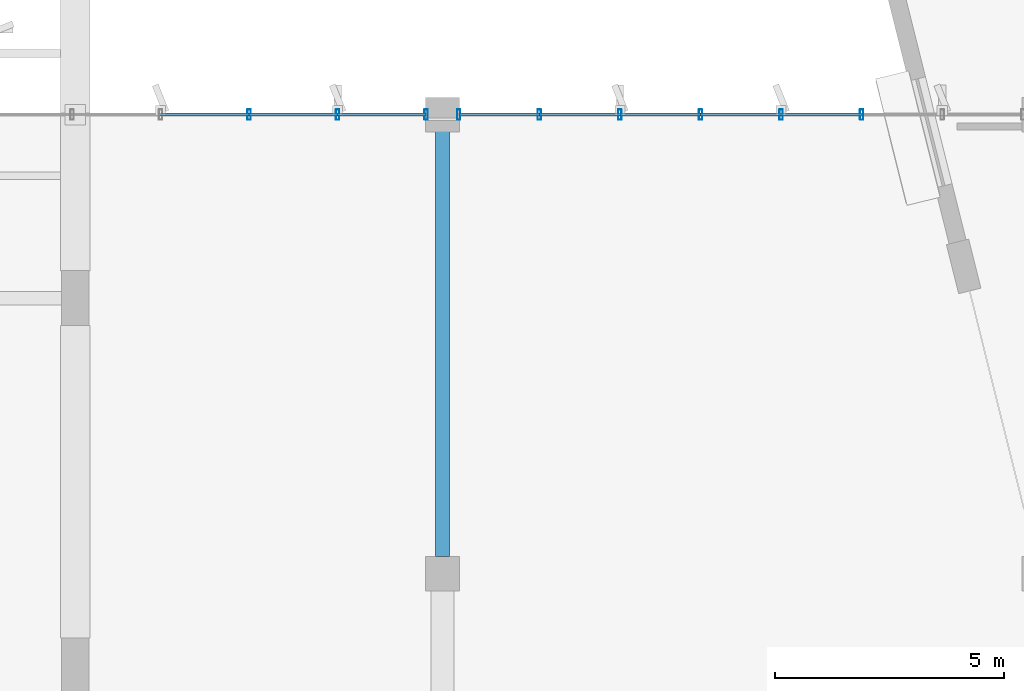
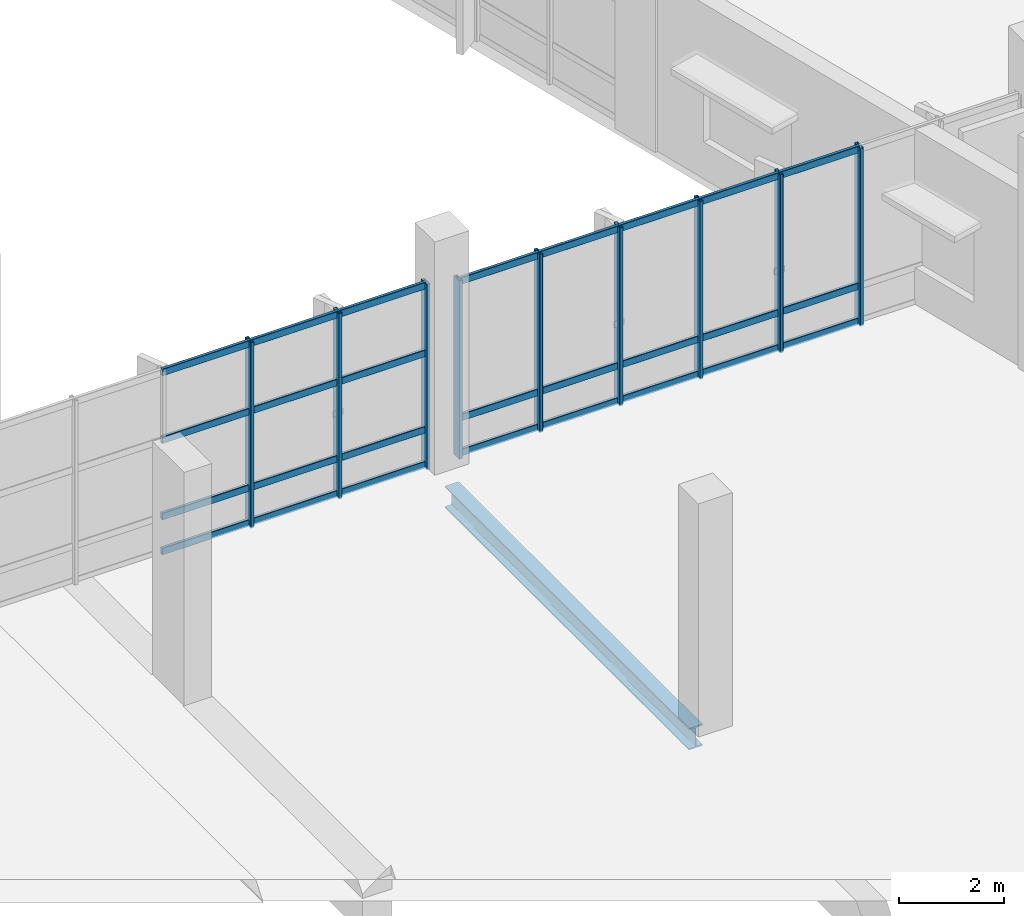
# One storey, part 71 of 176: 36 members, 1 beam, 2 elements without a shape of their own.
"""IFC4 building model written with IfcOpenShell, lengths in metres."""

from ifc_helpers import new_model, si_unit, direction, frame, origin, origin_2d, place, context, subcontext, project, spatial, hollow_rectangle, i_section, extrude, material, layer, layer_set, material_profile, profile_set, type_object, element, aggregate, save


model = new_model("IFC4")

# Units and contexts
model_context = context("Model", 3, precision=1e-05, world=origin(), true_north=direction((0.0, 1.0)))
body_context = subcontext(model_context, "Body", "Model", "MODEL_VIEW")
ifc_project = project(units=[si_unit("LENGTHUNIT", "METRE"), si_unit("AREAUNIT", "SQUARE_METRE"), si_unit("VOLUMEUNIT", "CUBIC_METRE"), si_unit("PLANEANGLEUNIT", "RADIAN"), si_unit("MASSUNIT", "GRAM", prefix="KILO")], contexts=[model_context])

# Site, building, storey
site_placement = place(None, origin())
site = spatial("IfcSite", under=ifc_project, at=site_placement, CompositionType="ELEMENT")
building_placement = place(site_placement, origin())
building = spatial("IfcBuilding", under=site, at=building_placement, Name="Khorjan Park Terminus", CompositionType="ELEMENT")
storey_placement = place(building_placement, frame((0.0, 0.0, 6.0)))
storey = spatial("IfcBuildingStorey", under=building, at=storey_placement, Name="L01", CompositionType="ELEMENT", Elevation=6.0)

# Beam
ifc_material_1 = material(Name="Steel S355", Category="steel")
ifc_material_profile_1 = material_profile(ifc_material_1, i_section(OverallWidth=0.3, OverallDepth=0.5, WebThickness=0.0145, FlangeThickness=0.028, FilletRadius=0.027, at=origin_2d()), Name="HEB 500")
ifc_profile_set_1 = profile_set([ifc_material_profile_1], Name="Steel S355")
beam_type = type_object("IfcBeamType", Name="BM-HEB500", PredefinedType="BEAM", material=ifc_profile_set_1)
beam_placement = place(storey_placement, frame((144.0, 38.37, -0.58), z_axis=(0.0, 1.0, 0.0), x_axis=(-1.0, 0.0, 0.0)))
element("IfcBeam", 1, at=beam_placement, inside=storey, type_object=beam_type, Name="Primary floor girder SB-B50 (L01)", PredefinedType="BEAM", context=body_context, shape_type="SweptSolid", body=[
    extrude(i_section(OverallWidth=0.3, OverallDepth=0.5, WebThickness=0.0145, FlangeThickness=0.028, FilletRadius=0.027, at=origin_2d()), origin(), (0.0, 0.0, 1.0), 9.26),
])

# Curtain wall, members
ifc_material_2 = material(Name="Anodized Bronze Aluminium", Category="aluminium")
ifc_layer = layer(ifc_material_2, 0.22)
ifc_layer_set = layer_set([ifc_layer], Name="Anodized Bronze Aluminium")
curtain_wall_type = type_object("IfcCurtainWallType", Name="CW-OPS-B", PredefinedType="NOTDEFINED", material=ifc_layer_set)
curtain_wall_1_placement = place(storey_placement, origin())
curtain_wall_1 = element("IfcCurtainWall", 2, at=curtain_wall_1_placement, inside=storey, type_object=curtain_wall_type, Name="Unitized curtain wall CW-B (CW-V5L-N-L01-1)", PredefinedType="NOTDEFINED")
ifc_material_profile_2 = material_profile(ifc_material_2, hollow_rectangle(XDim=0.075, YDim=0.225, WallThickness=0.005, InnerFilletRadius=0.005, OuterFilletRadius=0.01, at=origin_2d()), Name="ALM 75x225x5")
ifc_profile_set_2 = profile_set([ifc_material_profile_2], Name="Anodized Bronze Aluminium")
member_type_1 = type_object("IfcMemberType", Name="ML-ALM-225", PredefinedType="MULLION", material=ifc_profile_set_2)
member_1_placement = place(storey_placement, frame((143.645, 48.0, -0.035), z_axis=(0.0, 0.0, 1.0), x_axis=(-1.0, 0.0, 0.0)))
member_1 = element("IfcMember", 3, at=member_1_placement, type_object=member_type_1, Name="Curtain-wall mullion ML-22 (CW-V5L-N-L01-1-0)", PredefinedType="MULLION", context=body_context, shape_type="SweptSolid", body=[
    extrude(hollow_rectangle(XDim=0.075, YDim=0.225, WallThickness=0.005, InnerFilletRadius=0.005, OuterFilletRadius=0.01, at=origin_2d()), origin(), (0.0, 0.0, 1.0), 4.295),
])
member_2_placement = place(storey_placement, frame((141.716, 48.0, -0.035), z_axis=(0.0, 0.0, 1.0), x_axis=(-1.0, 0.0, 0.0)))
member_2 = element("IfcMember", 4, at=member_2_placement, type_object=member_type_1, Name="Curtain-wall mullion ML-22 (CW-V5L-N-L01-1-1)", PredefinedType="MULLION", context=body_context, shape_type="SweptSolid", body=[
    extrude(hollow_rectangle(XDim=0.075, YDim=0.225, WallThickness=0.005, InnerFilletRadius=0.005, OuterFilletRadius=0.01, at=origin_2d()), origin(), (0.0, 0.0, 1.0), 4.295),
])
member_3_placement = place(storey_placement, frame((139.787, 48.0, -0.035), z_axis=(0.0, 0.0, 1.0), x_axis=(-1.0, 0.0, 0.0)))
member_3 = element("IfcMember", 5, at=member_3_placement, type_object=member_type_1, Name="Curtain-wall mullion ML-22 (CW-V5L-N-L01-1-2)", PredefinedType="MULLION", context=body_context, shape_type="SweptSolid", body=[
    extrude(hollow_rectangle(XDim=0.075, YDim=0.225, WallThickness=0.005, InnerFilletRadius=0.005, OuterFilletRadius=0.01, at=origin_2d()), origin(), (0.0, 0.0, 1.0), 4.295),
])

curtain_wall_2_placement = place(storey_placement, origin())
curtain_wall_2 = element("IfcCurtainWall", 6, at=curtain_wall_2_placement, inside=storey, type_object=curtain_wall_type, Name="Unitized curtain wall CW-B (CW-V5L-N-L01-2)", PredefinedType="NOTDEFINED")
member_4_placement = place(storey_placement, frame((153.1336, 48.0, -0.035), z_axis=(0.0, 0.0, 1.0), x_axis=(-1.0, 0.0, 0.0)))
member_4 = element("IfcMember", 7, at=member_4_placement, type_object=member_type_1, Name="Curtain-wall mullion ML-22 (CW-V5L-N-L01-2-2)", PredefinedType="MULLION", context=body_context, shape_type="SweptSolid", body=[
    extrude(hollow_rectangle(XDim=0.075, YDim=0.225, WallThickness=0.005, InnerFilletRadius=0.005, OuterFilletRadius=0.01, at=origin_2d()), origin(), (0.0, 0.0, 1.0), 4.125),
])
member_5_placement = place(storey_placement, frame((151.3779, 48.0, -0.035), z_axis=(0.0, 0.0, 1.0), x_axis=(-1.0, 0.0, 0.0)))
member_5 = element("IfcMember", 8, at=member_5_placement, type_object=member_type_1, Name="Curtain-wall mullion ML-22 (CW-V5L-N-L01-2-3)", PredefinedType="MULLION", context=body_context, shape_type="SweptSolid", body=[
    extrude(hollow_rectangle(XDim=0.075, YDim=0.225, WallThickness=0.005, InnerFilletRadius=0.005, OuterFilletRadius=0.01, at=origin_2d()), origin(), (0.0, 0.0, 1.0), 4.125),
])
member_6_placement = place(storey_placement, frame((149.6221, 48.0, -0.035), z_axis=(0.0, 0.0, 1.0), x_axis=(-1.0, 0.0, 0.0)))
member_6 = element("IfcMember", 9, at=member_6_placement, type_object=member_type_1, Name="Curtain-wall mullion ML-22 (CW-V5L-N-L01-2-4)", PredefinedType="MULLION", context=body_context, shape_type="SweptSolid", body=[
    extrude(hollow_rectangle(XDim=0.075, YDim=0.225, WallThickness=0.005, InnerFilletRadius=0.005, OuterFilletRadius=0.01, at=origin_2d()), origin(), (0.0, 0.0, 1.0), 4.125),
])
member_7_placement = place(storey_placement, frame((147.8664, 48.0, -0.035), z_axis=(0.0, 0.0, 1.0), x_axis=(-1.0, 0.0, 0.0)))
member_7 = element("IfcMember", 10, at=member_7_placement, type_object=member_type_1, Name="Curtain-wall mullion ML-22 (CW-V5L-N-L01-2-5)", PredefinedType="MULLION", context=body_context, shape_type="SweptSolid", body=[
    extrude(hollow_rectangle(XDim=0.075, YDim=0.225, WallThickness=0.005, InnerFilletRadius=0.005, OuterFilletRadius=0.01, at=origin_2d()), origin(), (0.0, 0.0, 1.0), 4.125),
])
member_8_placement = place(storey_placement, frame((146.1107, 48.0, -0.035), z_axis=(0.0, 0.0, 1.0), x_axis=(-1.0, 0.0, 0.0)))
member_8 = element("IfcMember", 11, at=member_8_placement, type_object=member_type_1, Name="Curtain-wall mullion ML-22 (CW-V5L-N-L01-2-6)", PredefinedType="MULLION", context=body_context, shape_type="SweptSolid", body=[
    extrude(hollow_rectangle(XDim=0.075, YDim=0.225, WallThickness=0.005, InnerFilletRadius=0.005, OuterFilletRadius=0.01, at=origin_2d()), origin(), (0.0, 0.0, 1.0), 4.125),
])
member_9_placement = place(storey_placement, frame((144.355, 48.0, -0.035), z_axis=(0.0, 0.0, 1.0), x_axis=(-1.0, 0.0, 0.0)))
member_9 = element("IfcMember", 12, at=member_9_placement, type_object=member_type_1, Name="Curtain-wall mullion ML-22 (CW-V5L-N-L01-2-7)", PredefinedType="MULLION", context=body_context, shape_type="SweptSolid", body=[
    extrude(hollow_rectangle(XDim=0.075, YDim=0.225, WallThickness=0.005, InnerFilletRadius=0.005, OuterFilletRadius=0.01, at=origin_2d()), origin(), (0.0, 0.0, 1.0), 4.125),
])

# Member
ifc_material_profile_3 = material_profile(ifc_material_2, hollow_rectangle(XDim=0.07, YDim=0.16, WallThickness=0.004, InnerFilletRadius=0.004, OuterFilletRadius=0.008, at=origin_2d()), Name="ALT 70x160x4")
ifc_profile_set_3 = profile_set([ifc_material_profile_3], Name="Anodized Bronze Aluminium")
member_type_2 = type_object("IfcMemberType", Name="TR-ALT-160", PredefinedType="USERDEFINED", material=ifc_profile_set_3)
member_10_placement = place(storey_placement, frame((143.645, 48.0, 0.04), z_axis=(-1.0, 0.0, 0.0), x_axis=(0.0, -1.0, 0.0)))
member_10 = element("IfcMember", 13, at=member_10_placement, type_object=member_type_2, Name="Curtain-wall transom TR-16 (CW-V5L-N-L01-1-0-1)", ObjectType="TRANSOM", PredefinedType="USERDEFINED", context=body_context, shape_type="SweptSolid", body=[
    extrude(hollow_rectangle(XDim=0.07, YDim=0.16, WallThickness=0.004, InnerFilletRadius=0.004, OuterFilletRadius=0.008, at=origin_2d()), origin(), (0.0, 0.0, 1.0), 1.929),
])

member_11_placement = place(storey_placement, frame((143.645, 48.0, 0.85), z_axis=(-1.0, 0.0, 0.0), x_axis=(0.0, -1.0, 0.0)))
member_11 = element("IfcMember", 14, at=member_11_placement, type_object=member_type_2, Name="Curtain-wall transom TR-16 (CW-V5L-N-L01-1-0-2)", ObjectType="TRANSOM", PredefinedType="USERDEFINED", context=body_context, shape_type="SweptSolid", body=[
    extrude(hollow_rectangle(XDim=0.07, YDim=0.16, WallThickness=0.004, InnerFilletRadius=0.004, OuterFilletRadius=0.008, at=origin_2d()), origin(), (0.0, 0.0, 1.0), 1.929),
])

member_12_placement = place(storey_placement, frame((143.645, 48.0, 2.6195), z_axis=(-1.0, 0.0, 0.0), x_axis=(0.0, -1.0, 0.0)))
member_12 = element("IfcMember", 15, at=member_12_placement, type_object=member_type_2, Name="Curtain-wall transom TR-16 (CW-V5L-N-L01-1-0-3)", ObjectType="TRANSOM", PredefinedType="USERDEFINED", context=body_context, shape_type="SweptSolid", body=[
    extrude(hollow_rectangle(XDim=0.07, YDim=0.16, WallThickness=0.004, InnerFilletRadius=0.004, OuterFilletRadius=0.008, at=origin_2d()), origin(), (0.0, 0.0, 1.0), 1.929),
])

member_13_placement = place(storey_placement, frame((143.645, 48.0, 4.185), z_axis=(-1.0, 0.0, 0.0), x_axis=(0.0, -1.0, 0.0)))
member_13 = element("IfcMember", 16, at=member_13_placement, type_object=member_type_2, Name="Curtain-wall transom TR-16 (CW-V5L-N-L01-1-0-4)", ObjectType="TRANSOM", PredefinedType="USERDEFINED", context=body_context, shape_type="SweptSolid", body=[
    extrude(hollow_rectangle(XDim=0.07, YDim=0.16, WallThickness=0.004, InnerFilletRadius=0.004, OuterFilletRadius=0.008, at=origin_2d()), origin(), (0.0, 0.0, 1.0), 1.929),
])

member_14_placement = place(storey_placement, frame((141.716, 48.0, 0.04), z_axis=(-1.0, 0.0, 0.0), x_axis=(0.0, -1.0, 0.0)))
member_14 = element("IfcMember", 17, at=member_14_placement, type_object=member_type_2, Name="Curtain-wall transom TR-16 (CW-V5L-N-L01-1-1-1)", ObjectType="TRANSOM", PredefinedType="USERDEFINED", context=body_context, shape_type="SweptSolid", body=[
    extrude(hollow_rectangle(XDim=0.07, YDim=0.16, WallThickness=0.004, InnerFilletRadius=0.004, OuterFilletRadius=0.008, at=origin_2d()), origin(), (0.0, 0.0, 1.0), 1.929),
])

member_15_placement = place(storey_placement, frame((141.716, 48.0, 0.85), z_axis=(-1.0, 0.0, 0.0), x_axis=(0.0, -1.0, 0.0)))
member_15 = element("IfcMember", 18, at=member_15_placement, type_object=member_type_2, Name="Curtain-wall transom TR-16 (CW-V5L-N-L01-1-1-2)", ObjectType="TRANSOM", PredefinedType="USERDEFINED", context=body_context, shape_type="SweptSolid", body=[
    extrude(hollow_rectangle(XDim=0.07, YDim=0.16, WallThickness=0.004, InnerFilletRadius=0.004, OuterFilletRadius=0.008, at=origin_2d()), origin(), (0.0, 0.0, 1.0), 1.929),
])

member_16_placement = place(storey_placement, frame((141.716, 48.0, 2.6195), z_axis=(-1.0, 0.0, 0.0), x_axis=(0.0, -1.0, 0.0)))
member_16 = element("IfcMember", 19, at=member_16_placement, type_object=member_type_2, Name="Curtain-wall transom TR-16 (CW-V5L-N-L01-1-1-3)", ObjectType="TRANSOM", PredefinedType="USERDEFINED", context=body_context, shape_type="SweptSolid", body=[
    extrude(hollow_rectangle(XDim=0.07, YDim=0.16, WallThickness=0.004, InnerFilletRadius=0.004, OuterFilletRadius=0.008, at=origin_2d()), origin(), (0.0, 0.0, 1.0), 1.929),
])

member_17_placement = place(storey_placement, frame((141.716, 48.0, 4.185), z_axis=(-1.0, 0.0, 0.0), x_axis=(0.0, -1.0, 0.0)))
member_17 = element("IfcMember", 20, at=member_17_placement, type_object=member_type_2, Name="Curtain-wall transom TR-16 (CW-V5L-N-L01-1-1-4)", ObjectType="TRANSOM", PredefinedType="USERDEFINED", context=body_context, shape_type="SweptSolid", body=[
    extrude(hollow_rectangle(XDim=0.07, YDim=0.16, WallThickness=0.004, InnerFilletRadius=0.004, OuterFilletRadius=0.008, at=origin_2d()), origin(), (0.0, 0.0, 1.0), 1.929),
])

member_18_placement = place(storey_placement, frame((139.787, 48.0, 0.04), z_axis=(-1.0, 0.0, 0.0), x_axis=(0.0, -1.0, 0.0)))
member_18 = element("IfcMember", 21, at=member_18_placement, type_object=member_type_2, Name="Curtain-wall transom TR-16 (CW-V5L-N-L01-1-2-1)", ObjectType="TRANSOM", PredefinedType="USERDEFINED", context=body_context, shape_type="SweptSolid", body=[
    extrude(hollow_rectangle(XDim=0.07, YDim=0.16, WallThickness=0.004, InnerFilletRadius=0.004, OuterFilletRadius=0.008, at=origin_2d()), origin(), (0.0, 0.0, 1.0), 1.929),
])

member_19_placement = place(storey_placement, frame((139.787, 48.0, 0.85), z_axis=(-1.0, 0.0, 0.0), x_axis=(0.0, -1.0, 0.0)))
member_19 = element("IfcMember", 22, at=member_19_placement, type_object=member_type_2, Name="Curtain-wall transom TR-16 (CW-V5L-N-L01-1-2-2)", ObjectType="TRANSOM", PredefinedType="USERDEFINED", context=body_context, shape_type="SweptSolid", body=[
    extrude(hollow_rectangle(XDim=0.07, YDim=0.16, WallThickness=0.004, InnerFilletRadius=0.004, OuterFilletRadius=0.008, at=origin_2d()), origin(), (0.0, 0.0, 1.0), 1.929),
])

member_20_placement = place(storey_placement, frame((139.787, 48.0, 2.6195), z_axis=(-1.0, 0.0, 0.0), x_axis=(0.0, -1.0, 0.0)))
member_20 = element("IfcMember", 23, at=member_20_placement, type_object=member_type_2, Name="Curtain-wall transom TR-16 (CW-V5L-N-L01-1-2-3)", ObjectType="TRANSOM", PredefinedType="USERDEFINED", context=body_context, shape_type="SweptSolid", body=[
    extrude(hollow_rectangle(XDim=0.07, YDim=0.16, WallThickness=0.004, InnerFilletRadius=0.004, OuterFilletRadius=0.008, at=origin_2d()), origin(), (0.0, 0.0, 1.0), 1.929),
])

member_21_placement = place(storey_placement, frame((139.787, 48.0, 4.185), z_axis=(-1.0, 0.0, 0.0), x_axis=(0.0, -1.0, 0.0)))
member_21 = element("IfcMember", 24, at=member_21_placement, type_object=member_type_2, Name="Curtain-wall transom TR-16 (CW-V5L-N-L01-1-2-4)", ObjectType="TRANSOM", PredefinedType="USERDEFINED", context=body_context, shape_type="SweptSolid", body=[
    extrude(hollow_rectangle(XDim=0.07, YDim=0.16, WallThickness=0.004, InnerFilletRadius=0.004, OuterFilletRadius=0.008, at=origin_2d()), origin(), (0.0, 0.0, 1.0), 1.929),
])

aggregate(curtain_wall_1, [member_1, member_2, member_3, member_10, member_11, member_12, member_13, member_14, member_15, member_16, member_17, member_18, member_19, member_20, member_21])

member_22_placement = place(storey_placement, frame((153.1336, 48.0, 0.04), z_axis=(-1.0, 0.0, 0.0), x_axis=(0.0, -1.0, 0.0)))
member_22 = element("IfcMember", 25, at=member_22_placement, type_object=member_type_2, Name="Curtain-wall transom TR-16 (CW-V5L-N-L01-2-2-1)", ObjectType="TRANSOM", PredefinedType="USERDEFINED", context=body_context, shape_type="SweptSolid", body=[
    extrude(hollow_rectangle(XDim=0.07, YDim=0.16, WallThickness=0.004, InnerFilletRadius=0.004, OuterFilletRadius=0.008, at=origin_2d()), origin(), (0.0, 0.0, 1.0), 1.7557),
])

member_23_placement = place(storey_placement, frame((153.1336, 48.0, 0.85), z_axis=(-1.0, 0.0, 0.0), x_axis=(0.0, -1.0, 0.0)))
member_23 = element("IfcMember", 26, at=member_23_placement, type_object=member_type_2, Name="Curtain-wall transom TR-16 (CW-V5L-N-L01-2-2-2)", ObjectType="TRANSOM", PredefinedType="USERDEFINED", context=body_context, shape_type="SweptSolid", body=[
    extrude(hollow_rectangle(XDim=0.07, YDim=0.16, WallThickness=0.004, InnerFilletRadius=0.004, OuterFilletRadius=0.008, at=origin_2d()), origin(), (0.0, 0.0, 1.0), 1.7557),
])

member_24_placement = place(storey_placement, frame((153.1336, 48.0, 4.015), z_axis=(-1.0, 0.0, 0.0), x_axis=(0.0, -1.0, 0.0)))
member_24 = element("IfcMember", 27, at=member_24_placement, type_object=member_type_2, Name="Curtain-wall transom TR-16 (CW-V5L-N-L01-2-2-3)", ObjectType="TRANSOM", PredefinedType="USERDEFINED", context=body_context, shape_type="SweptSolid", body=[
    extrude(hollow_rectangle(XDim=0.07, YDim=0.16, WallThickness=0.004, InnerFilletRadius=0.004, OuterFilletRadius=0.008, at=origin_2d()), origin(), (0.0, 0.0, 1.0), 1.7557),
])

member_25_placement = place(storey_placement, frame((151.3779, 48.0, 0.04), z_axis=(-1.0, 0.0, 0.0), x_axis=(0.0, -1.0, 0.0)))
member_25 = element("IfcMember", 28, at=member_25_placement, type_object=member_type_2, Name="Curtain-wall transom TR-16 (CW-V5L-N-L01-2-3-1)", ObjectType="TRANSOM", PredefinedType="USERDEFINED", context=body_context, shape_type="SweptSolid", body=[
    extrude(hollow_rectangle(XDim=0.07, YDim=0.16, WallThickness=0.004, InnerFilletRadius=0.004, OuterFilletRadius=0.008, at=origin_2d()), origin(), (0.0, 0.0, 1.0), 1.7558),
])

member_26_placement = place(storey_placement, frame((151.3779, 48.0, 0.85), z_axis=(-1.0, 0.0, 0.0), x_axis=(0.0, -1.0, 0.0)))
member_26 = element("IfcMember", 29, at=member_26_placement, type_object=member_type_2, Name="Curtain-wall transom TR-16 (CW-V5L-N-L01-2-3-2)", ObjectType="TRANSOM", PredefinedType="USERDEFINED", context=body_context, shape_type="SweptSolid", body=[
    extrude(hollow_rectangle(XDim=0.07, YDim=0.16, WallThickness=0.004, InnerFilletRadius=0.004, OuterFilletRadius=0.008, at=origin_2d()), origin(), (0.0, 0.0, 1.0), 1.7558),
])

member_27_placement = place(storey_placement, frame((151.3779, 48.0, 4.015), z_axis=(-1.0, 0.0, 0.0), x_axis=(0.0, -1.0, 0.0)))
member_27 = element("IfcMember", 30, at=member_27_placement, type_object=member_type_2, Name="Curtain-wall transom TR-16 (CW-V5L-N-L01-2-3-3)", ObjectType="TRANSOM", PredefinedType="USERDEFINED", context=body_context, shape_type="SweptSolid", body=[
    extrude(hollow_rectangle(XDim=0.07, YDim=0.16, WallThickness=0.004, InnerFilletRadius=0.004, OuterFilletRadius=0.008, at=origin_2d()), origin(), (0.0, 0.0, 1.0), 1.7558),
])

member_28_placement = place(storey_placement, frame((149.6221, 48.0, 0.04), z_axis=(-1.0, 0.0, 0.0), x_axis=(0.0, -1.0, 0.0)))
member_28 = element("IfcMember", 31, at=member_28_placement, type_object=member_type_2, Name="Curtain-wall transom TR-16 (CW-V5L-N-L01-2-4-1)", ObjectType="TRANSOM", PredefinedType="USERDEFINED", context=body_context, shape_type="SweptSolid", body=[
    extrude(hollow_rectangle(XDim=0.07, YDim=0.16, WallThickness=0.004, InnerFilletRadius=0.004, OuterFilletRadius=0.008, at=origin_2d()), origin(), (0.0, 0.0, 1.0), 1.7557),
])

member_29_placement = place(storey_placement, frame((149.6221, 48.0, 0.85), z_axis=(-1.0, 0.0, 0.0), x_axis=(0.0, -1.0, 0.0)))
member_29 = element("IfcMember", 32, at=member_29_placement, type_object=member_type_2, Name="Curtain-wall transom TR-16 (CW-V5L-N-L01-2-4-2)", ObjectType="TRANSOM", PredefinedType="USERDEFINED", context=body_context, shape_type="SweptSolid", body=[
    extrude(hollow_rectangle(XDim=0.07, YDim=0.16, WallThickness=0.004, InnerFilletRadius=0.004, OuterFilletRadius=0.008, at=origin_2d()), origin(), (0.0, 0.0, 1.0), 1.7557),
])

member_30_placement = place(storey_placement, frame((149.6221, 48.0, 4.015), z_axis=(-1.0, 0.0, 0.0), x_axis=(0.0, -1.0, 0.0)))
member_30 = element("IfcMember", 33, at=member_30_placement, type_object=member_type_2, Name="Curtain-wall transom TR-16 (CW-V5L-N-L01-2-4-3)", ObjectType="TRANSOM", PredefinedType="USERDEFINED", context=body_context, shape_type="SweptSolid", body=[
    extrude(hollow_rectangle(XDim=0.07, YDim=0.16, WallThickness=0.004, InnerFilletRadius=0.004, OuterFilletRadius=0.008, at=origin_2d()), origin(), (0.0, 0.0, 1.0), 1.7557),
])

member_31_placement = place(storey_placement, frame((147.8664, 48.0, 0.04), z_axis=(-1.0, 0.0, 0.0), x_axis=(0.0, -1.0, 0.0)))
member_31 = element("IfcMember", 34, at=member_31_placement, type_object=member_type_2, Name="Curtain-wall transom TR-16 (CW-V5L-N-L01-2-5-1)", ObjectType="TRANSOM", PredefinedType="USERDEFINED", context=body_context, shape_type="SweptSolid", body=[
    extrude(hollow_rectangle(XDim=0.07, YDim=0.16, WallThickness=0.004, InnerFilletRadius=0.004, OuterFilletRadius=0.008, at=origin_2d()), origin(), (0.0, 0.0, 1.0), 1.7557),
])

member_32_placement = place(storey_placement, frame((147.8664, 48.0, 0.85), z_axis=(-1.0, 0.0, 0.0), x_axis=(0.0, -1.0, 0.0)))
member_32 = element("IfcMember", 35, at=member_32_placement, type_object=member_type_2, Name="Curtain-wall transom TR-16 (CW-V5L-N-L01-2-5-2)", ObjectType="TRANSOM", PredefinedType="USERDEFINED", context=body_context, shape_type="SweptSolid", body=[
    extrude(hollow_rectangle(XDim=0.07, YDim=0.16, WallThickness=0.004, InnerFilletRadius=0.004, OuterFilletRadius=0.008, at=origin_2d()), origin(), (0.0, 0.0, 1.0), 1.7557),
])

member_33_placement = place(storey_placement, frame((147.8664, 48.0, 4.015), z_axis=(-1.0, 0.0, 0.0), x_axis=(0.0, -1.0, 0.0)))
member_33 = element("IfcMember", 36, at=member_33_placement, type_object=member_type_2, Name="Curtain-wall transom TR-16 (CW-V5L-N-L01-2-5-3)", ObjectType="TRANSOM", PredefinedType="USERDEFINED", context=body_context, shape_type="SweptSolid", body=[
    extrude(hollow_rectangle(XDim=0.07, YDim=0.16, WallThickness=0.004, InnerFilletRadius=0.004, OuterFilletRadius=0.008, at=origin_2d()), origin(), (0.0, 0.0, 1.0), 1.7557),
])

member_34_placement = place(storey_placement, frame((146.1107, 48.0, 0.04), z_axis=(-1.0, 0.0, 0.0), x_axis=(0.0, -1.0, 0.0)))
member_34 = element("IfcMember", 37, at=member_34_placement, type_object=member_type_2, Name="Curtain-wall transom TR-16 (CW-V5L-N-L01-2-6-1)", ObjectType="TRANSOM", PredefinedType="USERDEFINED", context=body_context, shape_type="SweptSolid", body=[
    extrude(hollow_rectangle(XDim=0.07, YDim=0.16, WallThickness=0.004, InnerFilletRadius=0.004, OuterFilletRadius=0.008, at=origin_2d()), origin(), (0.0, 0.0, 1.0), 1.7557),
])

member_35_placement = place(storey_placement, frame((146.1107, 48.0, 0.85), z_axis=(-1.0, 0.0, 0.0), x_axis=(0.0, -1.0, 0.0)))
member_35 = element("IfcMember", 38, at=member_35_placement, type_object=member_type_2, Name="Curtain-wall transom TR-16 (CW-V5L-N-L01-2-6-2)", ObjectType="TRANSOM", PredefinedType="USERDEFINED", context=body_context, shape_type="SweptSolid", body=[
    extrude(hollow_rectangle(XDim=0.07, YDim=0.16, WallThickness=0.004, InnerFilletRadius=0.004, OuterFilletRadius=0.008, at=origin_2d()), origin(), (0.0, 0.0, 1.0), 1.7557),
])

member_36_placement = place(storey_placement, frame((146.1107, 48.0, 4.015), z_axis=(-1.0, 0.0, 0.0), x_axis=(0.0, -1.0, 0.0)))
member_36 = element("IfcMember", 39, at=member_36_placement, type_object=member_type_2, Name="Curtain-wall transom TR-16 (CW-V5L-N-L01-2-6-3)", ObjectType="TRANSOM", PredefinedType="USERDEFINED", context=body_context, shape_type="SweptSolid", body=[
    extrude(hollow_rectangle(XDim=0.07, YDim=0.16, WallThickness=0.004, InnerFilletRadius=0.004, OuterFilletRadius=0.008, at=origin_2d()), origin(), (0.0, 0.0, 1.0), 1.7557),
])

aggregate(curtain_wall_2, [member_4, member_5, member_6, member_7, member_8, member_9, member_22, member_23, member_24, member_25, member_26, member_27, member_28, member_29, member_30, member_31, member_32, member_33, member_34, member_35, member_36])

save(model, "model.ifc")
